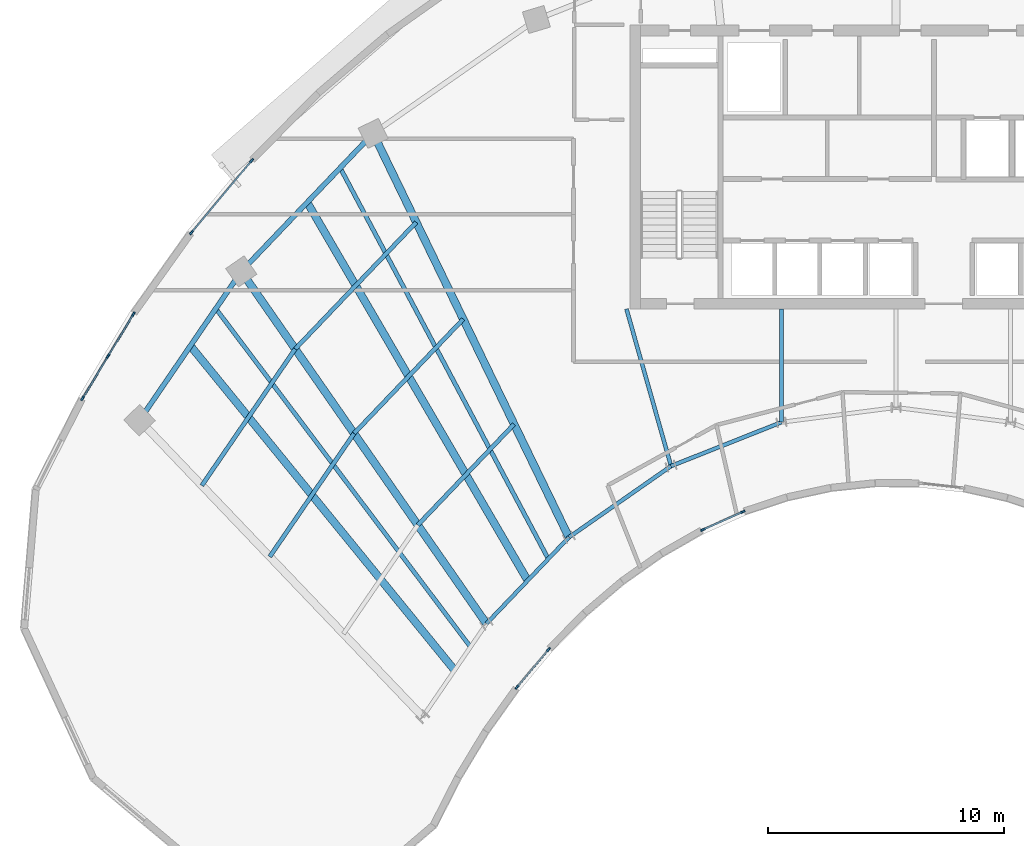
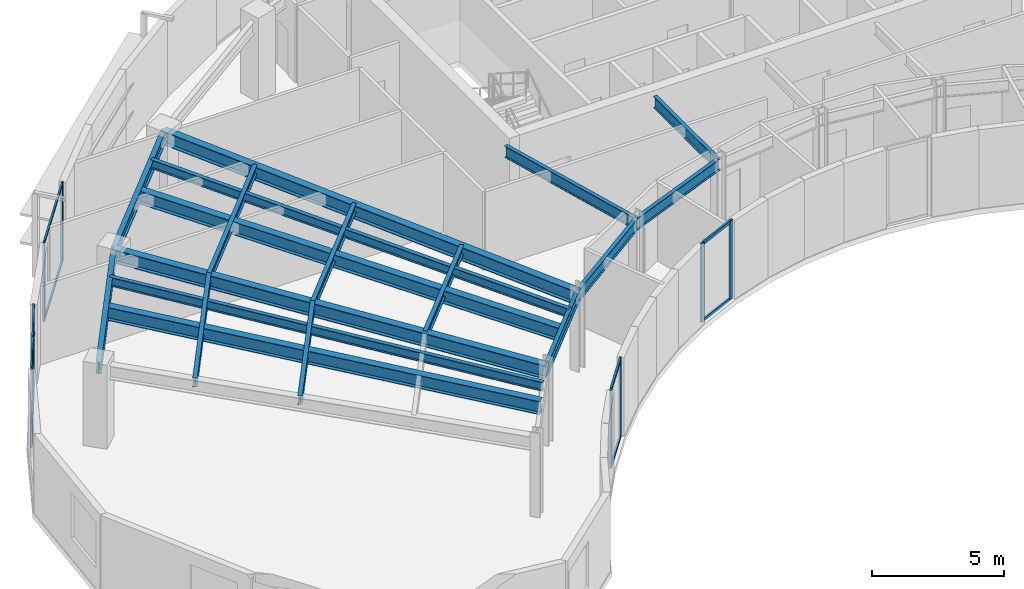
# One storey, part 2 of 12: 21 members, 18 beams, 4 elements without a shape of their own.
"""IFC4 building model written with IfcOpenShell, lengths in metres."""

from ifc_helpers import new_model, si_unit, direction, frame, origin, origin_2d, place, context, subcontext, project, spatial, rectangle, i_section, extrude, source, transform, mapped, material, layer, layer_set, material_profile, profile_set, type_object, type_shapes, element, aggregate, save


model = new_model("IFC4")

# Units and contexts
model_context = context("Model", 3, precision=1e-05, world=origin(), true_north=direction((0.0, 1.0)))
body_context = subcontext(model_context, "Body", "Model", "MODEL_VIEW")
ifc_project = project(units=[si_unit("LENGTHUNIT", "METRE"), si_unit("AREAUNIT", "SQUARE_METRE"), si_unit("VOLUMEUNIT", "CUBIC_METRE"), si_unit("PLANEANGLEUNIT", "RADIAN"), si_unit("MASSUNIT", "GRAM", prefix="KILO")], contexts=[model_context])

# Site, building, storey
site_placement = place(None, origin())
site = spatial("IfcSite", under=ifc_project, at=site_placement, CompositionType="ELEMENT")
building_placement = place(site_placement, origin())
building = spatial("IfcBuilding", under=site, at=building_placement, Name="Breltana Convention Tower", CompositionType="ELEMENT")
storey_placement = place(building_placement, frame((0.0, 0.0, 235.199951171875)))
storey = spatial("IfcBuildingStorey", under=building, at=storey_placement, Name="L57", CompositionType="ELEMENT", Elevation=235.199951171875)

# Beams
ifc_material_1 = material(Name="Steel ASTM A992 Grade 50", Category="steel")
ifc_material_profile_1 = material_profile(ifc_material_1, i_section(OverallWidth=0.179931640625, OverallDepth=0.4130859375, WebThickness=0.009765625, FlangeThickness=0.01611328125, at=origin_2d()), Name="W16X50")
ifc_profile_set_1 = profile_set([ifc_material_profile_1], Name="Steel ASTM A992 Grade 50")
beam_type_1 = type_object("IfcBeamType", Name="BM-JSG-08", PredefinedType="JOIST", material=ifc_profile_set_1)
shared_shape_1 = source(origin(), body_context, "Body", "SweptSolid", [
    extrude(i_section(OverallWidth=0.179931640625, OverallDepth=0.4130859375, WebThickness=0.009765625, FlangeThickness=0.01611328125, at=origin_2d()), origin(), (0.0, 0.0, 1.0), 6.311767578125),
])
beam_1_placement = place(storey_placement, frame((21.5166015625, 49.72607421875, 3.443603515625), z_axis=(0.564453712577, 0.825464721449, 0.0), x_axis=(-0.825464721449, 0.564453712577, 0.0)))
element("IfcBeam", 1, at=beam_1_placement, inside=storey, type_object=beam_type_1, Name="L57 Composite Floor Joist 01.2", PredefinedType="JOIST", context=body_context, shape_type="MappedRepresentation", body=[
    mapped(shared_shape_1, transform((0.0, 0.0, 0.0), scale=1.0)),
])
shared_shape_2 = source(origin(), body_context, "Body", "SweptSolid", [
    extrude(i_section(OverallWidth=0.179931640625, OverallDepth=0.4130859375, WebThickness=0.009765625, FlangeThickness=0.01611328125, at=origin_2d()), origin(), (0.0, 0.0, 1.0), 6.997314453125),
])
beam_2_placement = place(storey_placement, frame((18.641845703125, 52.735595703125, 3.443603515625), z_axis=(0.564468756361, 0.825454434292, 0.0), x_axis=(-0.825454434292, 0.564468756361, 0.0)))
element("IfcBeam", 2, at=beam_2_placement, inside=storey, type_object=beam_type_1, Name="L57 Composite Floor Joist 01.3", PredefinedType="JOIST", context=body_context, shape_type="MappedRepresentation", body=[
    mapped(shared_shape_2, transform((0.0, 0.0, 0.0), scale=1.0)),
])
ifc_material_profile_2 = material_profile(ifc_material_1, i_section(OverallWidth=0.323974609375, OverallDepth=0.611083984375, WebThickness=0.0126953125, FlangeThickness=0.01904296875, at=origin_2d()), Name="W24X104")
ifc_profile_set_2 = profile_set([ifc_material_profile_2], Name="Steel ASTM A992 Grade 50")
beam_type_2 = type_object("IfcBeamType", Name="BM-JSG-01", PredefinedType="JOIST", material=ifc_profile_set_2)
shared_shape_3 = source(origin(), body_context, "Body", "SweptSolid", [
    extrude(i_section(OverallWidth=0.323974609375, OverallDepth=0.611083984375, WebThickness=0.0126953125, FlangeThickness=0.01904296875, at=origin_2d()), origin(), (0.0, 0.0, 1.0), 17.691650390625),
])
type_shapes(beam_type_2, [shared_shape_3])
beam_3_placement = place(storey_placement, frame((29.330810546875, 44.923583984375, 3.344482421875), z_axis=(-0.631476958478, 0.775394642044, 0.0), x_axis=(-0.775394642044, -0.631476958478, 0.0)))
element("IfcBeam", 3, at=beam_3_placement, inside=storey, type_object=beam_type_2, Name="L57 Mid-Bay Radial Trimmer 01", PredefinedType="JOIST", context=body_context, shape_type="MappedRepresentation", body=[
    mapped(shared_shape_3, transform((0.0, 0.0, 0.0), scale=1.0)),
])
shared_shape_4 = source(origin(), body_context, "Body", "SweptSolid", [
    extrude(i_section(OverallWidth=0.179931640625, OverallDepth=0.4130859375, WebThickness=0.009765625, FlangeThickness=0.01611328125, at=origin_2d()), origin(), (0.0, 0.0, 1.0), 17.9072265625),
])
beam_4_placement = place(storey_placement, frame((30.00390625, 45.907958984375, 3.443603515625), z_axis=(-0.601382105028, 0.798961553363, 0.0), x_axis=(-0.798961553363, -0.601382105028, 0.0)))
element("IfcBeam", 4, at=beam_4_placement, inside=storey, type_object=beam_type_1, Name="L57 Quarter-Bay Radial Trimmer 01", PredefinedType="JOIST", context=body_context, shape_type="MappedRepresentation", body=[
    mapped(shared_shape_4, transform((0.0, 0.0, 0.0), scale=1.0)),
])
shared_shape_5 = source(origin(), body_context, "Body", "SweptSolid", [
    extrude(i_section(OverallWidth=0.179931640625, OverallDepth=0.4130859375, WebThickness=0.009765625, FlangeThickness=0.01611328125, at=origin_2d()), origin(), (0.0, 0.0, 1.0), 5.8974609375),
])
beam_5_placement = place(storey_placement, frame((27.774658203125, 51.063232421875, 3.443603515625), z_axis=(0.690713978666, 0.723128065888, 0.0), x_axis=(-0.723128065888, 0.690713978666, 0.0)))
element("IfcBeam", 5, at=beam_5_placement, inside=storey, type_object=beam_type_1, Name="L57 Composite Floor Joist 02.1", PredefinedType="JOIST", context=body_context, shape_type="MappedRepresentation", body=[
    mapped(shared_shape_5, transform((0.0, 0.0, 0.0), scale=1.0)),
])
shared_shape_6 = source(origin(), body_context, "Body", "SweptSolid", [
    extrude(i_section(OverallWidth=0.179931640625, OverallDepth=0.4130859375, WebThickness=0.009765625, FlangeThickness=0.01611328125, at=origin_2d()), origin(), (0.0, 0.0, 1.0), 6.68359375),
])
beam_6_placement = place(storey_placement, frame((25.079345703125, 54.936279296875, 3.443603515625), z_axis=(0.690720705885, 0.723121640156, 0.0), x_axis=(-0.723121640156, 0.690720705885, 0.0)))
element("IfcBeam", 6, at=beam_6_placement, inside=storey, type_object=beam_type_1, Name="L57 Composite Floor Joist 02.2", PredefinedType="JOIST", context=body_context, shape_type="MappedRepresentation", body=[
    mapped(shared_shape_6, transform((0.0, 0.0, 0.0), scale=1.0)),
])
shared_shape_7 = source(origin(), body_context, "Body", "SweptSolid", [
    extrude(i_section(OverallWidth=0.179931640625, OverallDepth=0.4130859375, WebThickness=0.009765625, FlangeThickness=0.01611328125, at=origin_2d()), origin(), (0.0, 0.0, 1.0), 7.40869140625),
])
beam_7_placement = place(storey_placement, frame((22.591552734375, 58.511474609375, 3.443603515625), z_axis=(0.690724936208, 0.723117599358, 0.0), x_axis=(-0.723117599358, 0.690724936208, 0.0)))
element("IfcBeam", 7, at=beam_7_placement, inside=storey, type_object=beam_type_1, Name="L57 Composite Floor Joist 02.3", PredefinedType="JOIST", context=body_context, shape_type="MappedRepresentation", body=[
    mapped(shared_shape_7, transform((0.0, 0.0, 0.0), scale=1.0)),
])
shared_shape_8 = source(origin(), body_context, "Body", "SweptSolid", [
    extrude(i_section(OverallWidth=0.323974609375, OverallDepth=0.611083984375, WebThickness=0.0126953125, FlangeThickness=0.01904296875, at=origin_2d()), origin(), (0.0, 0.0, 1.0), 18.50830078125),
])
beam_8_placement = place(storey_placement, frame((32.421630859375, 48.71875, 3.344482421875), z_axis=(-0.50368319637, 0.863888440537, 0.0), x_axis=(-0.863888440537, -0.50368319637, 0.0)))
element("IfcBeam", 8, at=beam_8_placement, inside=storey, type_object=beam_type_2, Name="L57 Mid-Bay Radial Trimmer 02", PredefinedType="JOIST", context=body_context, shape_type="MappedRepresentation", body=[
    mapped(shared_shape_8, transform((0.0, 0.0, 0.0), scale=1.0)),
])
shared_shape_9 = source(origin(), body_context, "Body", "SweptSolid", [
    extrude(i_section(OverallWidth=0.179931640625, OverallDepth=0.4130859375, WebThickness=0.009765625, FlangeThickness=0.01611328125, at=origin_2d()), origin(), (0.0, 0.0, 1.0), 18.731689453125),
])
beam_9_placement = place(storey_placement, frame((33.2939453125, 49.6318359375, 3.443603515625), z_axis=(-0.469820250451, 0.882762104004, 0.0), x_axis=(-0.882762104004, -0.469820250451, 0.0)))
element("IfcBeam", 9, at=beam_9_placement, inside=storey, type_object=beam_type_1, Name="L57 Quarter-Bay Radial Trimmer 02", PredefinedType="JOIST", context=body_context, shape_type="MappedRepresentation", body=[
    mapped(shared_shape_9, transform((0.0, 0.0, 0.0), scale=1.0)),
])
ifc_material_profile_3 = material_profile(ifc_material_1, i_section(OverallWidth=0.166015625, OverallDepth=0.534912109375, WebThickness=0.01025390625, FlangeThickness=0.0166015625, at=origin_2d()), Name="W21X57")
ifc_profile_set_3 = profile_set([ifc_material_profile_3], Name="Steel ASTM A992 Grade 50")
beam_type_3 = type_object("IfcBeamType", Name="BM-BM-W21X57", PredefinedType="BEAM", material=ifc_profile_set_3)
shared_shape_10 = source(origin(), body_context, "Body", "SweptSolid", [
    extrude(i_section(OverallWidth=0.166015625, OverallDepth=0.534912109375, WebThickness=0.01025390625, FlangeThickness=0.0166015625, at=origin_2d()), origin(), (0.0, 0.0, 1.0), 6.904541015625),
])
type_shapes(beam_type_3, [shared_shape_10])
beam_10_placement = place(storey_placement, frame((36.60009765625, 60.199951171875, 3.382568359375), z_axis=(0.273006781054, -0.962012108811, 0.0), x_axis=(0.962012108811, 0.273006781054, 0.0)))
element("IfcBeam", 10, at=beam_10_placement, inside=storey, type_object=beam_type_3, Name="L57 South Core Tie Girder R04", PredefinedType="BEAM", context=body_context, shape_type="MappedRepresentation", body=[
    mapped(shared_shape_10, transform((0.0, 0.0, 0.0), scale=1.0)),
])
shared_shape_11 = source(origin(), body_context, "Body", "SweptSolid", [
    extrude(i_section(OverallWidth=0.166015625, OverallDepth=0.534912109375, WebThickness=0.01025390625, FlangeThickness=0.0166015625, at=origin_2d()), origin(), (0.0, 0.0, 1.0), 4.789306640625),
])
beam_11_placement = place(storey_placement, frame((43.153564453125, 60.199951171875, 3.382568359375), z_axis=(0.0, -1.0, 0.0), x_axis=(1.0, 0.0, 0.0)))
element("IfcBeam", 11, at=beam_11_placement, inside=storey, type_object=beam_type_3, Name="L57 South Core Tie Girder R05", PredefinedType="BEAM", context=body_context, shape_type="MappedRepresentation", body=[
    mapped(shared_shape_11, transform((0.0, 0.0, 0.0), scale=1.0)),
])
shared_shape_12 = source(origin(), body_context, "Body", "SweptSolid", [
    extrude(i_section(OverallWidth=0.166015625, OverallDepth=0.534912109375, WebThickness=0.01025390625, FlangeThickness=0.0166015625, at=origin_2d()), origin(), (0.0, 0.0, 1.0), 5.05126953125),
])
beam_12_placement = place(storey_placement, frame((30.67724609375, 46.892333984375, 3.382568359375), z_axis=(0.690729753845, 0.7231129975, 0.0), x_axis=(-0.7231129975, 0.690729753845, 0.0)))
element("IfcBeam", 12, at=beam_12_placement, inside=storey, type_object=beam_type_3, Name="L57 Inner Ring Beam 02", PredefinedType="BEAM", context=body_context, shape_type="MappedRepresentation", body=[
    mapped(shared_shape_12, transform((0.0, 0.0, 0.0), scale=1.0)),
])
shared_shape_13 = source(origin(), body_context, "Body", "SweptSolid", [
    extrude(i_section(OverallWidth=0.166015625, OverallDepth=0.534912109375, WebThickness=0.01025390625, FlangeThickness=0.0166015625, at=origin_2d()), origin(), (0.0, 0.0, 1.0), 5.265869140625),
])
beam_13_placement = place(storey_placement, frame((34.166259765625, 50.544921875, 3.382568359375), z_axis=(0.820167429517, 0.572123577176, 0.0), x_axis=(-0.572123577176, 0.820167429517, 0.0)))
element("IfcBeam", 13, at=beam_13_placement, inside=storey, type_object=beam_type_3, Name="L57 Inner Ring Beam 03", PredefinedType="BEAM", context=body_context, shape_type="MappedRepresentation", body=[
    mapped(shared_shape_13, transform((0.0, 0.0, 0.0), scale=1.0)),
])
shared_shape_14 = source(origin(), body_context, "Body", "SweptSolid", [
    extrude(i_section(OverallWidth=0.166015625, OverallDepth=0.534912109375, WebThickness=0.01025390625, FlangeThickness=0.0166015625, at=origin_2d()), origin(), (0.0, 0.0, 1.0), 5.022705078125),
])
beam_14_placement = place(storey_placement, frame((38.485107421875, 53.5576171875, 3.382568359375), z_axis=(0.929458966248, 0.368925507469, 0.0), x_axis=(-0.368925507469, 0.929458966248, 0.0)))
element("IfcBeam", 14, at=beam_14_placement, inside=storey, type_object=beam_type_3, Name="L57 Inner Ring Beam 04", PredefinedType="BEAM", context=body_context, shape_type="MappedRepresentation", body=[
    mapped(shared_shape_14, transform((0.0, 0.0, 0.0), scale=1.0)),
])
ifc_material_profile_4 = material_profile(ifc_material_1, i_section(OverallWidth=0.326904296875, OverallDepth=0.6220703125, WebThickness=0.015380859375, FlangeThickness=0.0244140625, at=origin_2d()), Name="W24X131")
ifc_profile_set_4 = profile_set([ifc_material_profile_4], Name="Steel ASTM A992 Grade 50")
beam_type_4 = type_object("IfcBeamType", Name="BM-RG-W24X131", PredefinedType="USERDEFINED", material=ifc_profile_set_4)
shared_shape_15 = source(origin(), body_context, "Body", "SweptSolid", [
    extrude(i_section(OverallWidth=0.326904296875, OverallDepth=0.6220703125, WebThickness=0.015380859375, FlangeThickness=0.0244140625, at=origin_2d()), origin(), (0.0, 0.0, 1.0), 18.1484375),
])
beam_15_placement = place(storey_placement, frame((30.67724609375, 46.892333984375, 3.339111328125), z_axis=(-0.571207556098, 0.820805657788, 0.0), x_axis=(-0.820805657788, -0.571207556098, 0.0)))
element("IfcBeam", 15, at=beam_15_placement, inside=storey, type_object=beam_type_4, Name="L57 Radial Floor Girder R02", ObjectType="GIRDER", PredefinedType="USERDEFINED", context=body_context, shape_type="MappedRepresentation", body=[
    mapped(shared_shape_15, transform((0.0, 0.0, 0.0), scale=1.0)),
])
shared_shape_16 = source(origin(), body_context, "Body", "SweptSolid", [
    extrude(i_section(OverallWidth=0.326904296875, OverallDepth=0.6220703125, WebThickness=0.015380859375, FlangeThickness=0.0244140625, at=origin_2d()), origin(), (0.0, 0.0, 1.0), 18.982421875),
])
beam_16_placement = place(storey_placement, frame((34.166259765625, 50.544921875, 3.339111328125), z_axis=(-0.436118560343, 0.89988921614, 0.0), x_axis=(-0.89988921614, -0.436118560343, 0.0)))
element("IfcBeam", 16, at=beam_16_placement, inside=storey, type_object=beam_type_4, Name="L57 Radial Floor Girder R03", ObjectType="GIRDER", PredefinedType="USERDEFINED", context=body_context, shape_type="MappedRepresentation", body=[
    mapped(shared_shape_16, transform((0.0, 0.0, 0.0), scale=1.0)),
])
ifc_material_profile_5 = material_profile(ifc_material_1, i_section(OverallWidth=0.214111328125, OverallDepth=0.549072265625, WebThickness=0.0146484375, FlangeThickness=0.023681640625, at=origin_2d()), Name="W21X93")
ifc_profile_set_5 = profile_set([ifc_material_profile_5], Name="Steel ASTM A992 Grade 50")
beam_type_5 = type_object("IfcBeamType", Name="BM-SP-W21X93", PredefinedType="SPANDREL", material=ifc_profile_set_5)
shared_shape_17 = source(origin(), body_context, "Body", "SweptSolid", [
    extrude(i_section(OverallWidth=0.214111328125, OverallDepth=0.549072265625, WebThickness=0.0146484375, FlangeThickness=0.023681640625, at=origin_2d()), origin(), (0.0, 0.0, 1.0), 7.625),
])
type_shapes(beam_type_5, [shared_shape_17])
beam_17_placement = place(storey_placement, frame((16.0068359375, 55.494384765625, 3.37548828125), z_axis=(0.564452031902, 0.825465870694, 0.0), x_axis=(-0.825465870694, 0.564452031902, 0.0)))
element("IfcBeam", 17, at=beam_17_placement, inside=storey, type_object=beam_type_5, Name="L57 Outer Spandrel Beam 01", PredefinedType="SPANDREL", context=body_context, shape_type="MappedRepresentation", body=[
    mapped(shared_shape_17, transform((0.0, 0.0, 0.0), scale=1.0)),
])
shared_shape_18 = source(origin(), body_context, "Body", "SweptSolid", [
    extrude(i_section(OverallWidth=0.214111328125, OverallDepth=0.549072265625, WebThickness=0.0146484375, FlangeThickness=0.023681640625, at=origin_2d()), origin(), (0.0, 0.0, 1.0), 8.073974609375),
])
beam_18_placement = place(storey_placement, frame((20.310791015625, 61.78857421875, 3.37548828125), z_axis=(0.69072885448, 0.723113856588, 0.0), x_axis=(-0.723113856588, 0.69072885448, 0.0)))
element("IfcBeam", 18, at=beam_18_placement, inside=storey, type_object=beam_type_5, Name="L57 Outer Spandrel Beam 02", PredefinedType="SPANDREL", context=body_context, shape_type="MappedRepresentation", body=[
    mapped(shared_shape_18, transform((0.0, 0.0, 0.0), scale=1.0)),
])

# Curtain wall, members
ifc_material_2 = material(Name="Aluminium Anodised Bronze Frame", Category="aluminium")
ifc_layer_1 = layer(ifc_material_2, 0.18994140625, Name="Aluminium Anodised Bronze Frame")
ifc_layer_set_1 = layer_set([ifc_layer_1], Name="Aluminium Anodised Bronze Frame")
curtain_wall_type_1 = type_object("IfcCurtainWallType", Name="CW-SYS-1", PredefinedType="NOTDEFINED", material=ifc_layer_set_1)
curtain_wall_1_placement = place(storey_placement, origin())
curtain_wall_1 = element("IfcCurtainWall", 19, at=curtain_wall_1_placement, inside=storey, type_object=curtain_wall_type_1, Name="L57 inner south-court glazing 4", PredefinedType="NOTDEFINED")
ifc_material_3 = material(Name="Aluminium Anodised Bronze", Category="aluminium")
ifc_material_profile_6 = material_profile(ifc_material_3, rectangle(XDim=0.080078125, YDim=0.199951171875, at=origin_2d()), Name="CWM-80X200")
ifc_profile_set_6 = profile_set([ifc_material_profile_6], Name="Aluminium Anodised Bronze")
member_type_1 = type_object("IfcMemberType", Name="CWM-200", PredefinedType="MULLION", material=ifc_profile_set_6)
shared_shape_19 = source(origin(), body_context, "Body", "SweptSolid", [
    extrude(rectangle(XDim=0.080078125, YDim=0.199951171875, at=origin_2d()), origin(), (0.0, 0.0, 1.0), 3.650146484375),
])
member_1_placement = place(storey_placement, frame((41.520263671875, 51.623046875, 0.0), z_axis=(0.0, 0.0, 1.0), x_axis=(0.408602272116, -0.912712541396, 0.0)))
member_1 = element("IfcMember", 20, at=member_1_placement, type_object=member_type_1, Name="CW-01 mullion 1", PredefinedType="MULLION", context=body_context, shape_type="MappedRepresentation", body=[
    mapped(shared_shape_19, transform((0.0, 0.0, 0.0), scale=1.0)),
])
member_2_placement = place(storey_placement, frame((39.8310546875, 50.86669921875, 0.0), z_axis=(0.0, 0.0, 1.0), x_axis=(0.408602272116, -0.912712541396, 0.0)))
member_2 = element("IfcMember", 21, at=member_2_placement, type_object=member_type_1, Name="CW-01 mullion 2", PredefinedType="MULLION", context=body_context, shape_type="MappedRepresentation", body=[
    mapped(shared_shape_19, transform((0.0, 0.0, 0.0), scale=1.0)),
])

curtain_wall_2_placement = place(storey_placement, origin())
curtain_wall_2 = element("IfcCurtainWall", 22, at=curtain_wall_2_placement, inside=storey, type_object=curtain_wall_type_1, Name="L57 inner south-court glazing 5", PredefinedType="NOTDEFINED")
member_3_placement = place(storey_placement, frame((33.301025390625, 45.796875, 0.0), z_axis=(0.0, 0.0, 1.0), x_axis=(0.766884273635, -0.641785408725, 0.0)))
member_3 = element("IfcMember", 23, at=member_3_placement, type_object=member_type_1, Name="CW-01 mullion 1", PredefinedType="MULLION", context=body_context, shape_type="MappedRepresentation", body=[
    mapped(shared_shape_19, transform((0.0, 0.0, 0.0), scale=1.0)),
])
member_4_placement = place(storey_placement, frame((31.965576171875, 44.201171875, 0.0), z_axis=(0.0, 0.0, 1.0), x_axis=(0.766884273635, -0.641785408725, 0.0)))
member_4 = element("IfcMember", 24, at=member_4_placement, type_object=member_type_1, Name="CW-01 mullion 2", PredefinedType="MULLION", context=body_context, shape_type="MappedRepresentation", body=[
    mapped(shared_shape_19, transform((0.0, 0.0, 0.0), scale=1.0)),
])

ifc_layer_2 = layer(ifc_material_2, 0.219970703125, Name="Aluminium Anodised Bronze Frame")
ifc_layer_set_2 = layer_set([ifc_layer_2], Name="Aluminium Anodised Bronze Frame")
curtain_wall_type_2 = type_object("IfcCurtainWallType", Name="CW-SYS-4", PredefinedType="NOTDEFINED", material=ifc_layer_set_2)
curtain_wall_3_placement = place(storey_placement, origin())
curtain_wall_3 = element("IfcCurtainWall", 25, at=curtain_wall_3_placement, inside=storey, type_object=curtain_wall_type_2, Name="L57 outer double-skin inner glazing 1", PredefinedType="NOTDEFINED")
member_5_placement = place(storey_placement, frame((13.59912109375, 56.421630859375, 0.0), z_axis=(0.0, 0.0, 1.0), x_axis=(-0.856060706117, 0.516875291963, 0.0)))
member_5 = element("IfcMember", 26, at=member_5_placement, type_object=member_type_1, Name="CW-04 mullion 1", PredefinedType="MULLION", context=body_context, shape_type="MappedRepresentation", body=[
    mapped(shared_shape_19, transform((0.0, 0.0, 0.0), scale=1.0)),
])
member_6_placement = place(storey_placement, frame((14.6748046875, 58.203125, 0.0), z_axis=(0.0, 0.0, 1.0), x_axis=(-0.856060706117, 0.516875291963, 0.0)))
member_6 = element("IfcMember", 27, at=member_6_placement, type_object=member_type_1, Name="CW-04 mullion 2", PredefinedType="MULLION", context=body_context, shape_type="MappedRepresentation", body=[
    mapped(shared_shape_19, transform((0.0, 0.0, 0.0), scale=1.0)),
])
member_7_placement = place(storey_placement, frame((15.75048828125, 59.984619140625, 0.0), z_axis=(0.0, 0.0, 1.0), x_axis=(-0.856060706117, 0.516875291963, 0.0)))
member_7 = element("IfcMember", 28, at=member_7_placement, type_object=member_type_1, Name="CW-04 mullion 3", PredefinedType="MULLION", context=body_context, shape_type="MappedRepresentation", body=[
    mapped(shared_shape_19, transform((0.0, 0.0, 0.0), scale=1.0)),
])

curtain_wall_4_placement = place(storey_placement, origin())
curtain_wall_4 = element("IfcCurtainWall", 29, at=curtain_wall_4_placement, inside=storey, type_object=curtain_wall_type_2, Name="L57 outer double-skin inner glazing 2", PredefinedType="NOTDEFINED")
member_8_placement = place(storey_placement, frame((18.201416015625, 63.43017578125, 0.0), z_axis=(0.0, 0.0, 1.0), x_axis=(-0.766902846562, 0.64176321485, 0.0)))
member_8 = element("IfcMember", 30, at=member_8_placement, type_object=member_type_1, Name="CW-04 mullion 1", PredefinedType="MULLION", context=body_context, shape_type="MappedRepresentation", body=[
    mapped(shared_shape_19, transform((0.0, 0.0, 0.0), scale=1.0)),
])
member_9_placement = place(storey_placement, frame((20.750732421875, 66.4765625, 0.0), z_axis=(0.0, 0.0, 1.0), x_axis=(-0.766902846562, 0.64176321485, 0.0)))
member_9 = element("IfcMember", 31, at=member_9_placement, type_object=member_type_1, Name="CW-04 mullion 2", PredefinedType="MULLION", context=body_context, shape_type="MappedRepresentation", body=[
    mapped(shared_shape_19, transform((0.0, 0.0, 0.0), scale=1.0)),
])

# Member
ifc_material_profile_7 = material_profile(ifc_material_3, rectangle(XDim=0.080078125, YDim=0.139892578125, at=origin_2d()), Name="CWT-80X140")
ifc_profile_set_7 = profile_set([ifc_material_profile_7], Name="Aluminium Anodised Bronze")
member_type_2 = type_object("IfcMemberType", Name="CWT-140", PredefinedType="USERDEFINED", material=ifc_profile_set_7)
shared_shape_20 = source(origin(), body_context, "Body", "SweptSolid", [
    extrude(rectangle(XDim=0.080078125, YDim=0.139892578125, at=origin_2d()), origin(), (0.0, 0.0, 1.0), 1.770751953125),
])
member_10_placement = place(storey_placement, frame((41.48388671875, 51.606689453125, 0.0400390625), z_axis=(-0.9126937852, -0.408644166062, 0.0), x_axis=(0.408644166062, -0.9126937852, 0.0)))
member_10 = element("IfcMember", 32, at=member_10_placement, type_object=member_type_2, Name="CW-01 transom 1.1", ObjectType="TRANSOM", PredefinedType="USERDEFINED", context=body_context, shape_type="MappedRepresentation", body=[
    mapped(shared_shape_20, transform((0.0, 0.0, 0.0), scale=1.0)),
])

member_11_placement = place(storey_placement, frame((41.48388671875, 51.606689453125, 3.610107421875), z_axis=(-0.9126937852, -0.408644166062, 0.0), x_axis=(0.408644166062, -0.9126937852, 0.0)))
member_11 = element("IfcMember", 33, at=member_11_placement, type_object=member_type_2, Name="CW-01 transom 1.2", ObjectType="TRANSOM", PredefinedType="USERDEFINED", context=body_context, shape_type="MappedRepresentation", body=[
    mapped(shared_shape_20, transform((0.0, 0.0, 0.0), scale=1.0)),
])

aggregate(curtain_wall_1, [member_1, member_2, member_10, member_11])

shared_shape_21 = source(origin(), body_context, "Body", "SweptSolid", [
    extrude(rectangle(XDim=0.080078125, YDim=0.139892578125, at=origin_2d()), origin(), (0.0, 0.0, 1.0), 2.000732421875),
])
member_12_placement = place(storey_placement, frame((33.275390625, 45.766357421875, 0.0400390625), z_axis=(-0.641731421328, -0.766929451045, 0.0), x_axis=(0.766929451045, -0.641731421328, 0.0)))
member_12 = element("IfcMember", 34, at=member_12_placement, type_object=member_type_2, Name="CW-01 transom 1.1", ObjectType="TRANSOM", PredefinedType="USERDEFINED", context=body_context, shape_type="MappedRepresentation", body=[
    mapped(shared_shape_21, transform((0.0, 0.0, 0.0), scale=1.0)),
])

member_13_placement = place(storey_placement, frame((33.275390625, 45.766357421875, 3.610107421875), z_axis=(-0.641731421328, -0.766929451045, 0.0), x_axis=(0.766929451045, -0.641731421328, 0.0)))
member_13 = element("IfcMember", 35, at=member_13_placement, type_object=member_type_2, Name="CW-01 transom 1.2", ObjectType="TRANSOM", PredefinedType="USERDEFINED", context=body_context, shape_type="MappedRepresentation", body=[
    mapped(shared_shape_21, transform((0.0, 0.0, 0.0), scale=1.0)),
])

aggregate(curtain_wall_2, [member_3, member_4, member_12, member_13])

ifc_material_profile_8 = material_profile(ifc_material_3, rectangle(XDim=0.070068359375, YDim=0.1201171875, at=origin_2d()), Name="CWT-70X120")
ifc_profile_set_8 = profile_set([ifc_material_profile_8], Name="Aluminium Anodised Bronze")
member_type_3 = type_object("IfcMemberType", Name="CWT-120", PredefinedType="USERDEFINED", material=ifc_profile_set_8)
shared_shape_22 = source(origin(), body_context, "Body", "SweptSolid", [
    extrude(rectangle(XDim=0.070068359375, YDim=0.1201171875, at=origin_2d()), origin(), (0.0, 0.0, 1.0), 2.001220703125),
])
member_14_placement = place(storey_placement, frame((13.61962890625, 56.455810546875, 0.03515625), z_axis=(0.516897775642, 0.856047130441, 0.0), x_axis=(-0.856047130441, 0.516897775642, 0.0)))
member_14 = element("IfcMember", 36, at=member_14_placement, type_object=member_type_3, Name="CW-04 transom 1.1", ObjectType="TRANSOM", PredefinedType="USERDEFINED", context=body_context, shape_type="MappedRepresentation", body=[
    mapped(shared_shape_22, transform((0.0, 0.0, 0.0), scale=1.0)),
])

member_15_placement = place(storey_placement, frame((13.61962890625, 56.455810546875, 2.37255859375), z_axis=(0.516897775642, 0.856047130441, 0.0), x_axis=(-0.856047130441, 0.516897775642, 0.0)))
member_15 = element("IfcMember", 37, at=member_15_placement, type_object=member_type_3, Name="CW-04 transom 1.2", ObjectType="TRANSOM", PredefinedType="USERDEFINED", context=body_context, shape_type="MappedRepresentation", body=[
    mapped(shared_shape_22, transform((0.0, 0.0, 0.0), scale=1.0)),
])

member_16_placement = place(storey_placement, frame((13.61962890625, 56.455810546875, 3.614990234375), z_axis=(0.516897775642, 0.856047130441, 0.0), x_axis=(-0.856047130441, 0.516897775642, 0.0)))
member_16 = element("IfcMember", 38, at=member_16_placement, type_object=member_type_3, Name="CW-04 transom 1.3", ObjectType="TRANSOM", PredefinedType="USERDEFINED", context=body_context, shape_type="MappedRepresentation", body=[
    mapped(shared_shape_22, transform((0.0, 0.0, 0.0), scale=1.0)),
])

member_17_placement = place(storey_placement, frame((14.6953125, 58.2373046875, 0.03515625), z_axis=(0.516897775642, 0.856047130441, 0.0), x_axis=(-0.856047130441, 0.516897775642, 0.0)))
member_17 = element("IfcMember", 39, at=member_17_placement, type_object=member_type_3, Name="CW-04 transom 2.1", ObjectType="TRANSOM", PredefinedType="USERDEFINED", context=body_context, shape_type="MappedRepresentation", body=[
    mapped(shared_shape_22, transform((0.0, 0.0, 0.0), scale=1.0)),
])

member_18_placement = place(storey_placement, frame((14.6953125, 58.2373046875, 2.37255859375), z_axis=(0.516897775642, 0.856047130441, 0.0), x_axis=(-0.856047130441, 0.516897775642, 0.0)))
member_18 = element("IfcMember", 40, at=member_18_placement, type_object=member_type_3, Name="CW-04 transom 2.2", ObjectType="TRANSOM", PredefinedType="USERDEFINED", context=body_context, shape_type="MappedRepresentation", body=[
    mapped(shared_shape_22, transform((0.0, 0.0, 0.0), scale=1.0)),
])

member_19_placement = place(storey_placement, frame((14.6953125, 58.2373046875, 3.614990234375), z_axis=(0.516897775642, 0.856047130441, 0.0), x_axis=(-0.856047130441, 0.516897775642, 0.0)))
member_19 = element("IfcMember", 41, at=member_19_placement, type_object=member_type_3, Name="CW-04 transom 2.3", ObjectType="TRANSOM", PredefinedType="USERDEFINED", context=body_context, shape_type="MappedRepresentation", body=[
    mapped(shared_shape_22, transform((0.0, 0.0, 0.0), scale=1.0)),
])

aggregate(curtain_wall_3, [member_5, member_6, member_7, member_14, member_15, member_16, member_17, member_18, member_19])

shared_shape_23 = source(origin(), body_context, "Body", "SweptSolid", [
    extrude(rectangle(XDim=0.070068359375, YDim=0.1201171875, at=origin_2d()), origin(), (0.0, 0.0, 1.0), 3.892333984375),
])
member_20_placement = place(storey_placement, frame((18.22705078125, 63.4609375, 0.03515625), z_axis=(0.641768558813, 0.766898374571, 0.0), x_axis=(-0.766898374571, 0.641768558813, 0.0)))
member_20 = element("IfcMember", 42, at=member_20_placement, type_object=member_type_3, Name="CW-04 transom 1.1", ObjectType="TRANSOM", PredefinedType="USERDEFINED", context=body_context, shape_type="MappedRepresentation", body=[
    mapped(shared_shape_23, transform((0.0, 0.0, 0.0), scale=1.0)),
])

member_21_placement = place(storey_placement, frame((18.22705078125, 63.4609375, 3.614990234375), z_axis=(0.641768558813, 0.766898374571, 0.0), x_axis=(-0.766898374571, 0.641768558813, 0.0)))
member_21 = element("IfcMember", 43, at=member_21_placement, type_object=member_type_3, Name="CW-04 transom 1.2", ObjectType="TRANSOM", PredefinedType="USERDEFINED", context=body_context, shape_type="MappedRepresentation", body=[
    mapped(shared_shape_23, transform((0.0, 0.0, 0.0), scale=1.0)),
])

aggregate(curtain_wall_4, [member_8, member_9, member_20, member_21])

save(model, "model.ifc")
